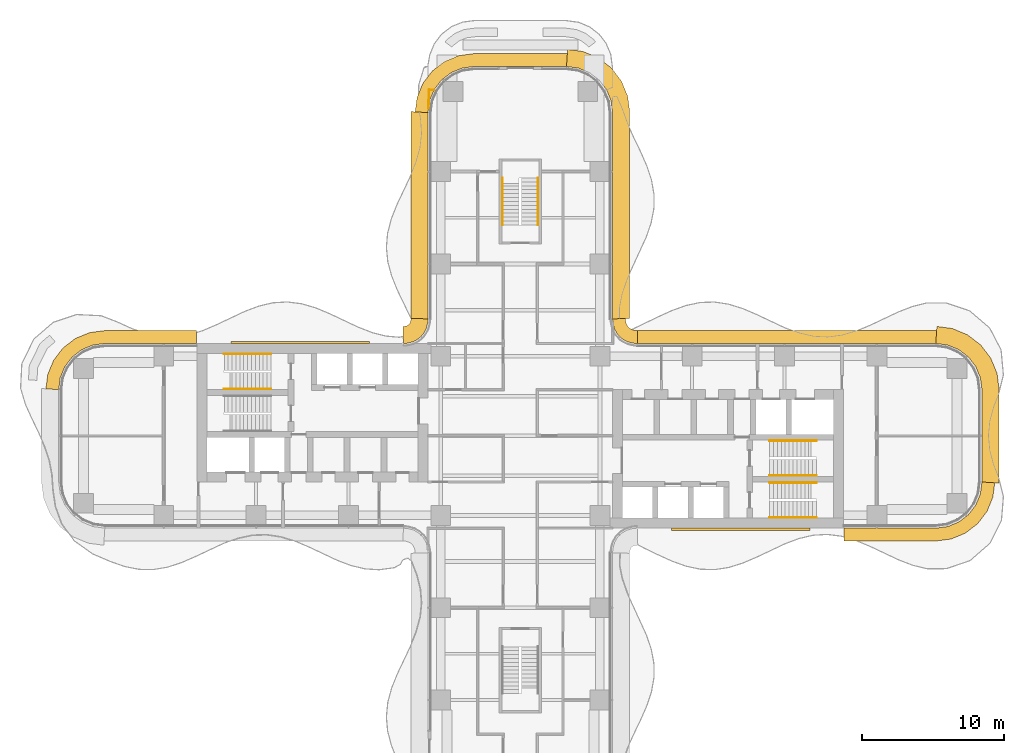
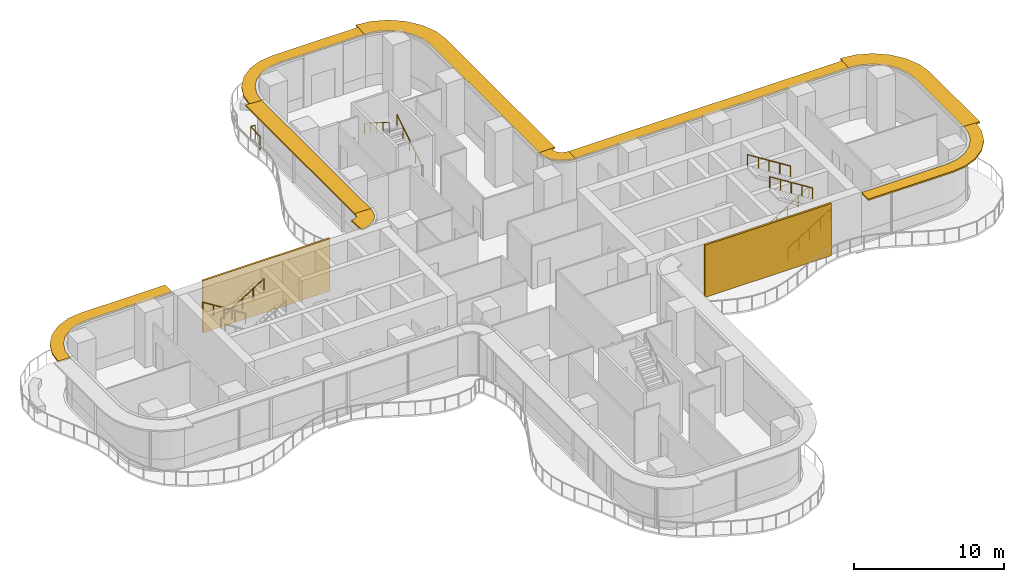
# One storey, part 22 of 22: 9 railings, 9 shading devices, 2 coverings.
"""IFC4 building model written with IfcOpenShell, lengths in metres."""

from ifc_helpers import new_model, si_unit, direction, frame, origin, origin_2d, place, context, subcontext, project, spatial, polyline, rectangle, circle, outline, extrude, source, transform, mapped, material, layer, layer_set, type_object, element, save


model = new_model("IFC4")

# Units and contexts
model_context = context("Model", 3, precision=1e-05, world=origin(), true_north=direction((0.0, 1.0)))
body_context = subcontext(model_context, "Body", "Model", "MODEL_VIEW")
ifc_project = project(units=[si_unit("LENGTHUNIT", "METRE"), si_unit("AREAUNIT", "SQUARE_METRE"), si_unit("VOLUMEUNIT", "CUBIC_METRE"), si_unit("PLANEANGLEUNIT", "RADIAN"), si_unit("MASSUNIT", "GRAM", prefix="KILO")], contexts=[model_context])

# Site, building, storey
site_placement = place(None, origin())
site = spatial("IfcSite", under=ifc_project, at=site_placement, CompositionType="ELEMENT")
building_placement = place(site_placement, origin())
building = spatial("IfcBuilding", under=site, at=building_placement, Name="Trellis Farm Tower", CompositionType="ELEMENT")
storey_placement = place(building_placement, frame((0.0, 0.0, 61.0)))
storey = spatial("IfcBuildingStorey", under=building, at=storey_placement, Name="L12", CompositionType="ELEMENT", Elevation=61.0)

# Railings
ifc_material_1 = material(Name="Stainless steel", Category="steel")
railing_type_1 = type_object("IfcRailingType", Name="STAIR HANDRAIL 900", PredefinedType="HANDRAIL", material=ifc_material_1)
shared_shape_1 = source(origin(), body_context, "Body", "SweptSolid", [
    extrude(circle(Radius=0.02392578125, at=origin_2d()), frame((0.0, 0.0, 0.8759765625), z_axis=(0.0, 0.846319618018, 0.532675421018), x_axis=(-1.0, 0.0, 0.0)), (0.0, 0.0, 1.0), 3.89892578125),
    extrude(circle(Radius=0.02099609375, at=origin_2d()), origin(), (0.0, 0.0, 1.0), 0.851806640625),
    extrude(circle(Radius=0.02099609375, at=origin_2d()), frame((0.0, 0.824951171875, 0.519287109375)), (0.0, 0.0, 1.0), 0.851806640625),
    extrude(circle(Radius=0.02099609375, at=origin_2d()), frame((0.0, 1.64990234375, 1.03857421875)), (0.0, 0.0, 1.0), 0.851806640625),
    extrude(circle(Radius=0.02099609375, at=origin_2d()), frame((0.0, 2.474853515625, 1.5576171875)), (0.0, 0.0, 1.0), 0.851806640625),
    extrude(circle(Radius=0.02099609375, at=origin_2d()), frame((0.0, 3.2998046875, 2.076904296875)), (0.0, 0.0, 1.0), 0.851806640625),
])
railing_1_placement = place(storey_placement, frame((1.25, 14.85009765625, 0.173095703125)))
element("IfcRailing", 1, at=railing_1_placement, inside=storey, type_object=railing_type_1, Name="Stair handrail", PredefinedType="HANDRAIL", context=body_context, shape_type="MappedRepresentation", body=[
    mapped(shared_shape_1, transform((0.0, 0.0, 0.0))),
])
shared_shape_2 = source(origin(), body_context, "Body", "SweptSolid", [
    extrude(circle(Radius=0.02392578125, at=origin_2d()), frame((0.0, 0.0, 0.8759765625), z_axis=(0.0, -0.846319618018, 0.532675421018), x_axis=(1.0, 0.0, 0.0)), (0.0, 0.0, 1.0), 3.89892578125),
    extrude(circle(Radius=0.02099609375, at=origin_2d()), origin(), (0.0, 0.0, 1.0), 0.851806640625),
    extrude(circle(Radius=0.02099609375, at=origin_2d()), frame((0.0, -0.824951171875, 0.519287109375)), (0.0, 0.0, 1.0), 0.851806640625),
    extrude(circle(Radius=0.02099609375, at=origin_2d()), frame((0.0, -1.64990234375, 1.03857421875)), (0.0, 0.0, 1.0), 0.851806640625),
    extrude(circle(Radius=0.02099609375, at=origin_2d()), frame((0.0, -2.474853515625, 1.5576171875)), (0.0, 0.0, 1.0), 0.851806640625),
    extrude(circle(Radius=0.02099609375, at=origin_2d()), frame((0.0, -3.2998046875, 2.076904296875)), (0.0, 0.0, 1.0), 0.851806640625),
])
railing_2_placement = place(storey_placement, frame((-1.25, 18.14990234375, 2.423095703125)))
element("IfcRailing", 2, at=railing_2_placement, inside=storey, type_object=railing_type_1, Name="Stair handrail", PredefinedType="HANDRAIL", context=body_context, shape_type="MappedRepresentation", body=[
    mapped(shared_shape_2, transform((0.0, 0.0, 0.0))),
])
shared_shape_3 = source(origin(), body_context, "Body", "SweptSolid", [
    extrude(circle(Radius=0.02392578125, at=origin_2d()), frame((0.0, 0.0, 0.8759765625), z_axis=(0.846337383501, 0.0, 0.532647194011), x_axis=(0.0, 1.0, 0.0)), (0.0, 0.0, 1.0), 3.899169921875),
    extrude(circle(Radius=0.02099609375, at=origin_2d()), origin(), (0.0, 0.0, 1.0), 0.851806640625),
    extrude(circle(Radius=0.02099609375, at=origin_2d()), frame((0.824951171875, 0.0, 0.519287109375)), (0.0, 0.0, 1.0), 0.851806640625),
    extrude(circle(Radius=0.02099609375, at=origin_2d()), frame((1.64990234375, 0.0, 1.03857421875)), (0.0, 0.0, 1.0), 0.851806640625),
    extrude(circle(Radius=0.02099609375, at=origin_2d()), frame((2.47509765625, 0.0, 1.5576171875)), (0.0, 0.0, 1.0), 0.851806640625),
    extrude(circle(Radius=0.02099609375, at=origin_2d()), frame((3.300048828125, 0.0, 2.076904296875)), (0.0, 0.0, 1.0), 0.851806640625),
])
for number, where, name in (
    (3, (17.550048828125, -5.75, 0.173095703125), "Stair handrail"),
    (4, (17.550048828125, -2.800048828125, 0.173095703125), "Stair handrail"),
    (5, (-20.85009765625, 3.300048828125, 2.423095703125), "Stair handrail"),
):
    element("IfcRailing", number, at=place(storey_placement, frame(where)), inside=storey, type_object=railing_type_1, Name=name, PredefinedType="HANDRAIL", context=body_context, shape_type="MappedRepresentation", body=[
        mapped(shared_shape_3, transform((0.0, 0.0, 0.0))),
    ])
shared_shape_4 = source(origin(), body_context, "Body", "SweptSolid", [
    extrude(circle(Radius=0.02392578125, at=origin_2d()), frame((0.0, 0.0, 0.8759765625), z_axis=(-0.846337383501, 0.0, 0.532647194011), x_axis=(0.0, -1.0, 0.0)), (0.0, 0.0, 1.0), 3.899169921875),
    extrude(circle(Radius=0.02099609375, at=origin_2d()), origin(), (0.0, 0.0, 1.0), 0.851806640625),
    extrude(circle(Radius=0.02099609375, at=origin_2d()), frame((-0.824951171875, 0.0, 0.519287109375)), (0.0, 0.0, 1.0), 0.851806640625),
    extrude(circle(Radius=0.02099609375, at=origin_2d()), frame((-1.64990234375, 0.0, 1.03857421875)), (0.0, 0.0, 1.0), 0.851806640625),
    extrude(circle(Radius=0.02099609375, at=origin_2d()), frame((-2.47509765625, 0.0, 1.5576171875)), (0.0, 0.0, 1.0), 0.851806640625),
    extrude(circle(Radius=0.02099609375, at=origin_2d()), frame((-3.300048828125, 0.0, 2.076904296875)), (0.0, 0.0, 1.0), 0.851806640625),
])
for number, where, name in (
    (6, (20.85009765625, -3.300048828125, 2.423095703125), "Stair handrail"),
    (7, (20.85009765625, -0.35009765625, 2.423095703125), "Stair handrail"),
    (8, (-17.550048828125, 5.75, 0.173095703125), "Stair handrail"),
):
    element("IfcRailing", number, at=place(storey_placement, frame(where)), inside=storey, type_object=railing_type_1, Name=name, PredefinedType="HANDRAIL", context=body_context, shape_type="MappedRepresentation", body=[
        mapped(shared_shape_4, transform((0.0, 0.0, 0.0))),
    ])

# Shading devices
ifc_material_2 = material(Name="Aluminium extrusion 6063-T6", Category="aluminium")
ifc_layer_1 = layer(ifc_material_2, 0.1201171875)
ifc_layer_set_1 = layer_set([ifc_layer_1], Name="SUNSHADE BLADE 900")
shading_device_type_1 = type_object("IfcShadingDeviceType", Name="SUNSHADE BLADE 900", PredefinedType="USERDEFINED", material=ifc_layer_set_1)
shared_shape_5 = source(origin(), body_context, "Body", "SweptSolid", [
    extrude(outline(polyline([(22.780029296875, -7.39990234375), (29.30908203125, -7.39990234375), (30.326171875, -7.26611328125), (31.328857421875, -6.850830078125), (32.18994140625, -6.18994140625), (32.850830078125, -5.328857421875), (33.26611328125, -4.326171875), (33.39990234375, -3.30908203125), (32.5, -3.25), (32.38916015625, -4.091064453125), (32.064697265625, -4.875), (31.548095703125, -5.548095703125), (30.875, -6.064697265625), (30.091064453125, -6.38916015625), (29.25, -6.5), (22.780029296875, -6.5), (22.780029296875, -7.39990234375)])), origin(), (0.0, 0.0, 1.0), 0.119873046875),
])
placement_1 = place(storey_placement, frame((0.0, 0.0, 4.090087890625)))
element("IfcShadingDevice", 9, at=placement_1, inside=storey, type_object=shading_device_type_1, Name="SD1 007", ObjectType="SUNSHADE", PredefinedType="USERDEFINED", context=body_context, shape_type="MappedRepresentation", body=[
    mapped(shared_shape_5, transform((0.0, 0.0, 0.0))),
])
ifc_layer_2 = layer(ifc_material_2, 0.1201171875)
ifc_layer_set_2 = layer_set([ifc_layer_2], Name="SUNSHADE BLADE 1200")
shading_device_type_2 = type_object("IfcShadingDeviceType", Name="SUNSHADE BLADE 1200", PredefinedType="USERDEFINED", material=ifc_layer_set_2)
shared_shape_6 = source(origin(), body_context, "Body", "SweptSolid", [
    extrude(outline(polyline([(33.699951171875, -3.32861328125), (33.699951171875, 3.32861328125), (33.558349609375, 4.404541015625), (33.11279296875, 5.480224609375), (32.404052734375, 6.404052734375), (31.480224609375, 7.11279296875), (30.404541015625, 7.558349609375), (29.32861328125, 7.699951171875), (29.25, 6.5), (30.091064453125, 6.38916015625), (30.875, 6.064697265625), (31.548095703125, 5.548095703125), (32.064697265625, 4.875), (32.38916015625, 4.091064453125), (32.5, 3.25), (32.5, -3.25), (33.699951171875, -3.32861328125)])), origin(), (0.0, 0.0, 1.0), 0.119873046875),
])
element("IfcShadingDevice", 10, at=placement_1, inside=storey, type_object=shading_device_type_2, Name="SD2 008", ObjectType="SUNSHADE", PredefinedType="USERDEFINED", context=body_context, shape_type="MappedRepresentation", body=[
    mapped(shared_shape_6, transform((0.0, 0.0, 0.0))),
])
shared_shape_7 = source(origin(), body_context, "Body", "SweptSolid", [
    extrude(outline(polyline([(29.30908203125, 7.39990234375), (8.2607421875, 7.39990234375), (8.2314453125, 6.5), (29.25, 6.5), (29.30908203125, 7.39990234375)])), origin(), (0.0, 0.0, 1.0), 0.119873046875),
])
element("IfcShadingDevice", 11, at=placement_1, inside=storey, type_object=shading_device_type_1, Name="SD1 009", ObjectType="SUNSHADE", PredefinedType="USERDEFINED", context=body_context, shape_type="MappedRepresentation", body=[
    mapped(shared_shape_7, transform((0.0, 0.0, 0.0))),
])
shared_shape_8 = source(origin(), body_context, "Body", "SweptSolid", [
    extrude(outline(polyline([(8.2607421875, 7.39990234375), (8.107666015625, 7.409912109375), (8.091552734375, 7.412109375), (7.85595703125, 7.475341796875), (7.697021484375, 7.567138671875), (7.567138671875, 7.697021484375), (7.475341796875, 7.85595703125), (7.412109375, 8.091552734375), (7.409912109375, 8.107666015625), (7.39990234375, 8.2607421875), (6.5, 8.2314453125), (6.513916015625, 8.01953125), (6.527587890625, 7.91552734375), (6.63671875, 7.508544921875), (6.846923828125, 7.144287109375), (7.144287109375, 6.846923828125), (7.508544921875, 6.63671875), (7.91552734375, 6.527587890625), (8.01953125, 6.513916015625), (8.2314453125, 6.5), (8.2607421875, 7.39990234375)])), origin(), (0.0, 0.0, 1.0), 0.119873046875),
])
element("IfcShadingDevice", 12, at=placement_1, inside=storey, type_object=shading_device_type_1, Name="SD1 010", ObjectType="SUNSHADE", PredefinedType="USERDEFINED", context=body_context, shape_type="MappedRepresentation", body=[
    mapped(shared_shape_8, transform((0.0, 0.0, 0.0))),
])
shared_shape_9 = source(origin(), body_context, "Body", "SweptSolid", [
    extrude(outline(polyline([(-7.699951171875, 8.270751953125), (-7.708740234375, 8.13720703125), (-7.70703125, 8.150146484375), (-7.7548828125, 7.9716796875), (-7.80712890625, 7.881103515625), (-7.881103515625, 7.80712890625), (-7.9716796875, 7.7548828125), (-8.150146484375, 7.70703125), (-8.13720703125, 7.708740234375), (-8.270751953125, 7.699951171875), (-8.2314453125, 6.5), (-8.01953125, 6.513916015625), (-7.91552734375, 6.527587890625), (-7.508544921875, 6.63671875), (-7.144287109375, 6.846923828125), (-6.846923828125, 7.144287109375), (-6.63671875, 7.508544921875), (-6.527587890625, 7.91552734375), (-6.513916015625, 8.01953125), (-6.5, 8.2314453125), (-7.699951171875, 8.270751953125)])), origin(), (0.0, 0.0, 1.0), 0.119873046875),
])
element("IfcShadingDevice", 13, at=placement_1, inside=storey, type_object=shading_device_type_2, Name="SD2 014", ObjectType="SUNSHADE", PredefinedType="USERDEFINED", context=body_context, shape_type="MappedRepresentation", body=[
    mapped(shared_shape_9, transform((0.0, 0.0, 0.0))),
])
shared_shape_10 = source(origin(), body_context, "Body", "SweptSolid", [
    extrude(outline(polyline([(-22.780029296875, 7.39990234375), (-29.30908203125, 7.39990234375), (-30.326171875, 7.26611328125), (-31.328857421875, 6.850830078125), (-32.18994140625, 6.18994140625), (-32.850830078125, 5.328857421875), (-33.26611328125, 4.326171875), (-33.39990234375, 3.30908203125), (-32.5, 3.25), (-32.38916015625, 4.091064453125), (-32.064697265625, 4.875), (-31.548095703125, 5.548095703125), (-30.875, 6.064697265625), (-30.091064453125, 6.38916015625), (-29.25, 6.5), (-22.780029296875, 6.5), (-22.780029296875, 7.39990234375)])), origin(), (0.0, 0.0, 1.0), 0.119873046875),
])
element("IfcShadingDevice", 14, at=placement_1, inside=storey, type_object=shading_device_type_1, Name="SD1 015", ObjectType="SUNSHADE", PredefinedType="USERDEFINED", context=body_context, shape_type="MappedRepresentation", body=[
    mapped(shared_shape_10, transform((0.0, 0.0, 0.0))),
])

# Coverings
ifc_material_3 = material(Name="Perforated precast screen (cobogo)", Category="concrete")
ifc_layer_3 = layer(ifc_material_3, 0.14990234375)
ifc_layer_set_3 = layer_set([ifc_layer_3], Name="COBOGO SCREEN PANEL")
covering_type = type_object("IfcCoveringType", Name="COBOGO SCREEN PANEL", PredefinedType="USERDEFINED", material=ifc_layer_set_3)
shared_shape_11 = source(origin(), body_context, "Body", "SweptSolid", [
    extrude(outline(polyline([(10.630615234375, -6.64990234375), (20.380615234375, -6.64990234375), (20.380615234375, -6.5), (10.630615234375, -6.5), (10.630615234375, -6.64990234375)])), origin(), (0.0, 0.0, 1.0), 4.25),
])
placement_2 = place(storey_placement, origin())
element("IfcCovering", 15, at=placement_2, inside=storey, type_object=covering_type, Name="SC1 01", ObjectType="SCREEN", PredefinedType="USERDEFINED", context=body_context, shape_type="MappedRepresentation", body=[
    mapped(shared_shape_11, transform((0.0, 0.0, 0.0))),
])
shared_shape_12 = source(origin(), body_context, "Body", "SweptSolid", [
    extrude(outline(polyline([(-10.630615234375, 6.64990234375), (-20.380615234375, 6.64990234375), (-20.380615234375, 6.5), (-10.630615234375, 6.5), (-10.630615234375, 6.64990234375)])), origin(), (0.0, 0.0, 1.0), 4.25),
])
element("IfcCovering", 16, at=placement_2, inside=storey, type_object=covering_type, Name="SC1 02", ObjectType="SCREEN", PredefinedType="USERDEFINED", context=body_context, shape_type="MappedRepresentation", body=[
    mapped(shared_shape_12, transform((0.0, 0.0, 0.0))),
])

# Shading devices
shared_shape_13 = source(origin(), body_context, "Body", "SweptSolid", [
    extrude(outline(polyline([(7.699951171875, 8.270751953125), (7.699951171875, 22.82861328125), (7.558349609375, 23.904541015625), (7.11279296875, 24.980224609375), (6.404052734375, 25.904052734375), (5.480224609375, 26.61279296875), (4.404541015625, 27.058349609375), (3.32861328125, 27.199951171875), (3.25, 26.0), (4.091064453125, 25.88916015625), (4.875, 25.564697265625), (5.548095703125, 25.048095703125), (6.064697265625, 24.375), (6.38916015625, 23.591064453125), (6.5, 22.75), (6.5, 8.2314453125), (7.699951171875, 8.270751953125)])), origin(), (0.0, 0.0, 1.0), 0.119873046875),
])
element("IfcShadingDevice", 17, at=placement_1, inside=storey, type_object=shading_device_type_2, Name="SD2 011", ObjectType="SUNSHADE", PredefinedType="USERDEFINED", context=body_context, shape_type="MappedRepresentation", body=[
    mapped(shared_shape_13, transform((0.0, 0.0, 0.0))),
])
shared_shape_14 = source(origin(), body_context, "Body", "SweptSolid", [
    extrude(outline(polyline([(3.30908203125, 26.89990234375), (-3.30908203125, 26.89990234375), (-4.326171875, 26.76611328125), (-5.328857421875, 26.350830078125), (-6.18994140625, 25.68994140625), (-6.850830078125, 24.828857421875), (-7.26611328125, 23.826171875), (-7.39990234375, 22.80908203125), (-6.5, 22.75), (-6.38916015625, 23.591064453125), (-6.064697265625, 24.375), (-5.548095703125, 25.048095703125), (-4.875, 25.564697265625), (-4.091064453125, 25.88916015625), (-3.25, 26.0), (3.25, 26.0), (3.30908203125, 26.89990234375)])), origin(), (0.0, 0.0, 1.0), 0.119873046875),
])
element("IfcShadingDevice", 18, at=placement_1, inside=storey, type_object=shading_device_type_1, Name="SD1 012", ObjectType="SUNSHADE", PredefinedType="USERDEFINED", context=body_context, shape_type="MappedRepresentation", body=[
    mapped(shared_shape_14, transform((0.0, 0.0, 0.0))),
])
shared_shape_15 = source(origin(), body_context, "Body", "SweptSolid", [
    extrude(outline(polyline([(-7.699951171875, 22.82861328125), (-7.699951171875, 8.270751953125), (-6.5, 8.2314453125), (-6.5, 22.75), (-7.699951171875, 22.82861328125)])), origin(), (0.0, 0.0, 1.0), 0.119873046875),
])
element("IfcShadingDevice", 19, at=placement_1, inside=storey, type_object=shading_device_type_2, Name="SD2 013", ObjectType="SUNSHADE", PredefinedType="USERDEFINED", context=body_context, shape_type="MappedRepresentation", body=[
    mapped(shared_shape_15, transform((0.0, 0.0, 0.0))),
])

# Railing
ifc_material_4 = material(Name="Stainless steel 316", Category="steel")
railing_type_2 = type_object("IfcRailingType", Name="BALUSTRADE GUARD 1100", PredefinedType="GUARDRAIL", material=ifc_material_4)
shared_shape_16 = source(origin(), body_context, "Body", "SweptSolid", [
    extrude(rectangle(XDim=0.050048828125, YDim=0.050048828125, at=origin_2d()), frame((0.0, 0.0, 1.0751953125), z_axis=(-0.998595991784, 0.052972117127, 0.0), x_axis=(-0.052972117127, -0.998595991784, 0.0)), (0.0, 0.0, 1.0), 0.341064453125),
    extrude(rectangle(XDim=0.050048828125, YDim=0.050048828125, at=origin_2d()), frame((-0.340576171875, 0.01806640625, 1.0751953125), z_axis=(-0.031520064781, -0.999503119313, 0.0), x_axis=(0.999503119313, -0.031520064781, 0.0)), (0.0, 0.0, 1.0), 1.30908203125),
    extrude(rectangle(XDim=0.0400390625, YDim=0.0400390625, at=origin_2d()), origin(), (0.0, 0.0, 1.0), 1.050048828125),
    extrude(rectangle(XDim=0.0400390625, YDim=0.0400390625, at=origin_2d()), frame((-0.340576171875, 0.01806640625, 0.0)), (0.0, 0.0, 1.0), 1.050048828125),
    extrude(rectangle(XDim=0.0400390625, YDim=0.0400390625, at=origin_2d()), frame((-0.3818359375, -1.290283203125, 0.0)), (0.0, 0.0, 1.0), 1.050048828125),
])
railing_3_placement = place(storey_placement, frame((-6.078369140625, 24.341552734375, 0.0)))
element("IfcRailing", 20, at=railing_3_placement, inside=storey, type_object=railing_type_2, Name="GD1 BAL-1", PredefinedType="GUARDRAIL", context=body_context, shape_type="MappedRepresentation", body=[
    mapped(shared_shape_16, transform((0.0, 0.0, 0.0))),
])

save(model, "model.ifc")
